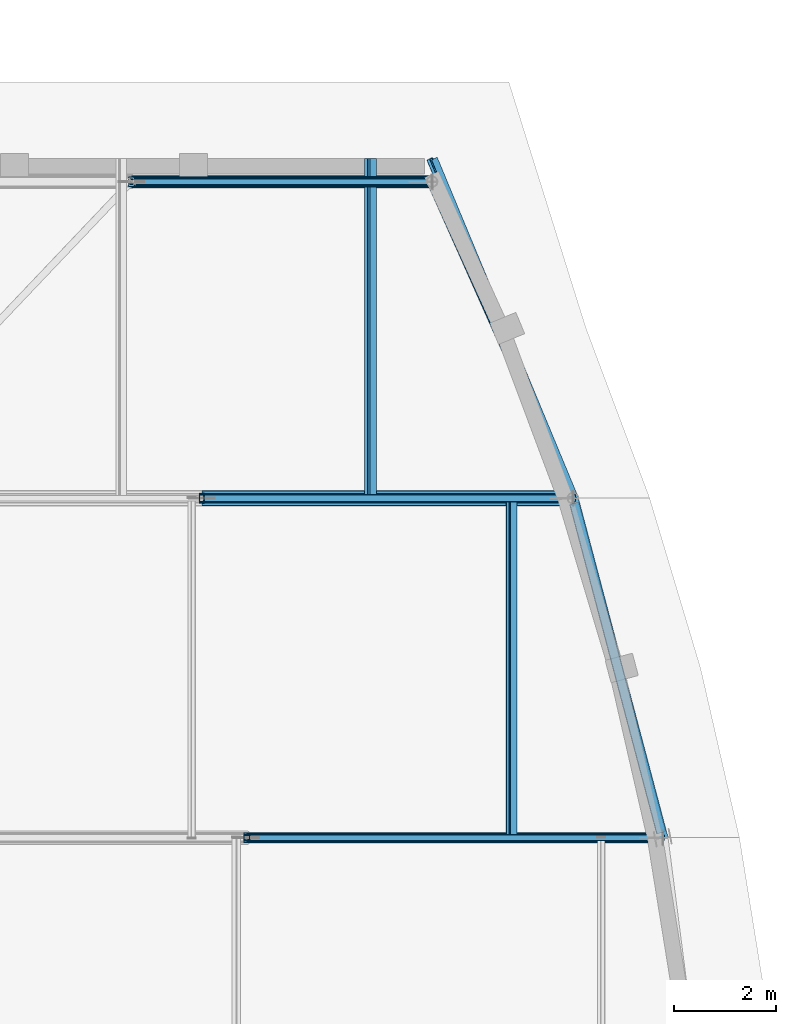
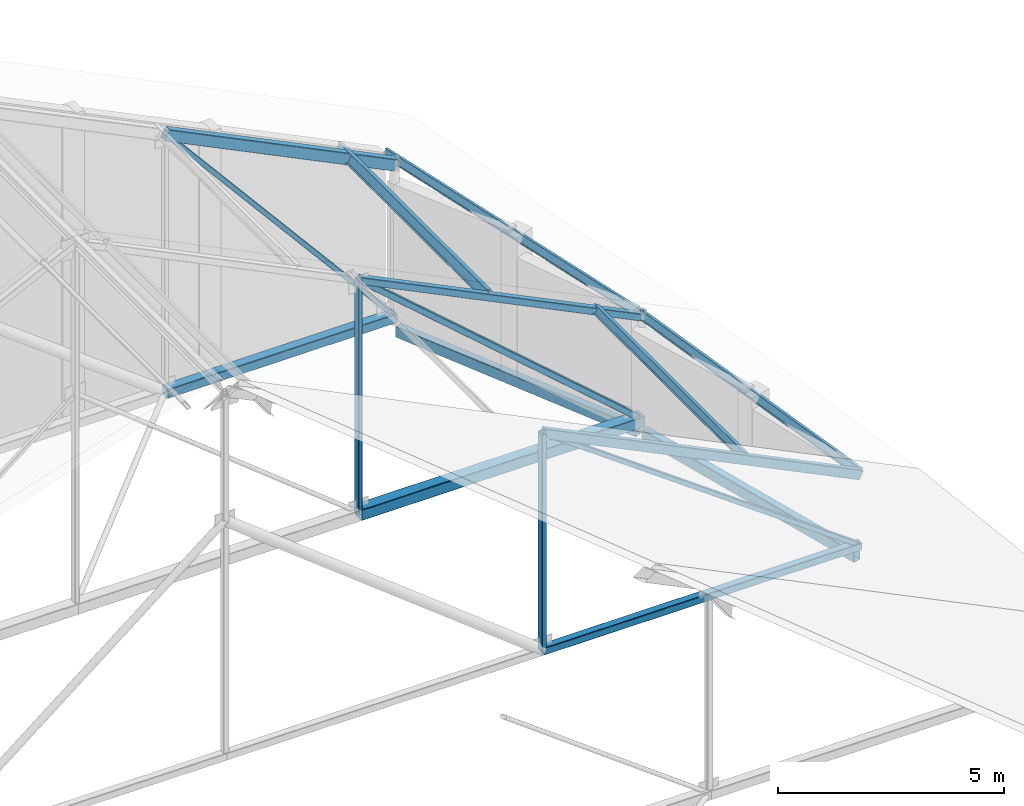
# One storey, part 35 of 78: 15 members, 2 beams.
"""IFC4 building model written with IfcOpenShell, lengths in metres."""

from ifc_helpers import new_model, si_unit, direction, frame, origin, origin_2d, place, context, subcontext, project, spatial, hollow_rectangle, i_section, extrude, material, material_profile, profile_set, type_object, element, save


model = new_model("IFC4")

# Units and contexts
model_context = context("Model", 3, precision=1e-05, world=origin(), true_north=direction((0.0, 1.0)))
body_context = subcontext(model_context, "Body", "Model", "MODEL_VIEW")
ifc_project = project(units=[si_unit("LENGTHUNIT", "METRE"), si_unit("AREAUNIT", "SQUARE_METRE"), si_unit("VOLUMEUNIT", "CUBIC_METRE"), si_unit("PLANEANGLEUNIT", "RADIAN"), si_unit("MASSUNIT", "GRAM", prefix="KILO")], contexts=[model_context])

# Site, building, storey
site_placement = place(None, origin())
site = spatial("IfcSite", under=ifc_project, at=site_placement, CompositionType="ELEMENT")
building_placement = place(site_placement, origin())
building = spatial("IfcBuilding", under=site, at=building_placement, Name="Kelanivale Promenade Academy", CompositionType="ELEMENT")
storey_placement = place(building_placement, frame((0.0, 0.0, 16.199951171875)))
storey = spatial("IfcBuildingStorey", under=building, at=storey_placement, Name="L04", CompositionType="ELEMENT", Elevation=16.199951171875)

# Members
ifc_material = material(Name="Steel S355", Category="steel")
ifc_material_profile_1 = material_profile(ifc_material, i_section(OverallWidth=0.13330078125, OverallDepth=0.203125, WebThickness=0.005615234375, FlangeThickness=0.0078125, FilletRadius=0.007568359375, at=origin_2d()), Name="UB 203x133x25")
ifc_profile_set_1 = profile_set([ifc_material_profile_1], Name="Steel S355")
member_type_1 = type_object("IfcMemberType", Name="PR-01 UB 203x133x25", PredefinedType="PURLIN", material=ifc_profile_set_1)
member_1_placement = place(storey_placement, frame((155.44091796875, 66.14306640625, 2.155029296875), z_axis=(-0.253583008164, 0.959346642368, 0.123893816419), x_axis=(-0.854833563652, -0.282194291363, 0.43546063011)))
element("IfcMember", 1, at=member_1_placement, inside=storey, type_object=member_type_1, Name="Assembly Hall Arc Pavilion roof tie purlin PR-01", PredefinedType="PURLIN", context=body_context, shape_type="SweptSolid", body=[
    extrude(i_section(OverallWidth=0.13330078125, OverallDepth=0.203125, WebThickness=0.005615234375, FlangeThickness=0.0078125, FilletRadius=0.007568359375, at=origin_2d()), origin(), (0.0, 0.0, 1.0), 6.90869140625),
])
member_2_placement = place(storey_placement, frame((152.489013671875, 66.14306640625, 3.614013671875), z_axis=(0.0, 1.0, 0.0), x_axis=(-0.898564392509, 0.0, 0.438841694139)))
element("IfcMember", 2, at=member_2_placement, inside=storey, type_object=member_type_1, Name="Assembly Hall Arc Pavilion roof purlin PR-01", PredefinedType="PURLIN", context=body_context, shape_type="SweptSolid", body=[
    extrude(i_section(OverallWidth=0.13330078125, OverallDepth=0.203125, WebThickness=0.005615234375, FlangeThickness=0.0078125, FilletRadius=0.007568359375, at=origin_2d()), origin(), (0.0, 0.0, 1.0), 6.6279296875),
])
member_3_placement = place(storey_placement, frame((153.68896484375, 72.77099609375, 3.010986328125), z_axis=(-0.376761392739, 0.907865223257, 0.183933654727), x_axis=(-0.798995969758, -0.418973464595, 0.431354467087)))
element("IfcMember", 3, at=member_3_placement, inside=storey, type_object=member_type_1, Name="Assembly Hall Arc Pavilion roof tie purlin PR-01", PredefinedType="PURLIN", context=body_context, shape_type="SweptSolid", body=[
    extrude(i_section(OverallWidth=0.13330078125, OverallDepth=0.203125, WebThickness=0.005615234375, FlangeThickness=0.0078125, FilletRadius=0.007568359375, at=origin_2d()), origin(), (0.0, 0.0, 1.0), 7.3017578125),
])
ifc_material_profile_2 = material_profile(ifc_material, i_section(OverallWidth=0.14599609375, OverallDepth=0.25146484375, WebThickness=0.006103515625, FlangeThickness=0.008544921875, FilletRadius=0.007568359375, at=origin_2d()), Name="UB 254x146x31")
ifc_profile_set_2 = profile_set([ifc_material_profile_2], Name="Steel S355")
member_type_2 = type_object("IfcMemberType", Name="PR-02 UB 254x146x31", PredefinedType="PURLIN", material=ifc_profile_set_2)
member_4_placement = place(storey_placement, frame((149.738037109375, 72.77099609375, 4.93115234375), z_axis=(0.0, 1.0, 0.0), x_axis=(-0.898564392509, 0.0, 0.438841694139)))
element("IfcMember", 4, at=member_4_placement, inside=storey, type_object=member_type_2, Name="Assembly Hall Arc Pavilion roof purlin PR-02", PredefinedType="PURLIN", context=body_context, shape_type="SweptSolid", body=[
    extrude(i_section(OverallWidth=0.14599609375, OverallDepth=0.25146484375, WebThickness=0.006103515625, FlangeThickness=0.008544921875, FilletRadius=0.007568359375, at=origin_2d()), origin(), (0.0, 0.0, 1.0), 6.62890625),
])

# Beams
ifc_material_profile_3 = material_profile(ifc_material, hollow_rectangle(XDim=0.199951171875, YDim=0.300048828125, WallThickness=0.012451171875, InnerFilletRadius=0.012451171875, OuterFilletRadius=0.02490234375, at=origin_2d()), Name="RHS 300x200x12.5")
ifc_profile_set_3 = profile_set([ifc_material_profile_3], Name="Steel S355")
beam_type = type_object("IfcBeamType", Name="SB-14 RHS 300x200x12.5", PredefinedType="SPANDREL", material=ifc_profile_set_3)
beam_1_placement = place(storey_placement, frame((155.4150390625, 66.239990234375, -0.14990234375), z_axis=(-0.255444826884, 0.966823634598, 0.0), x_axis=(-0.966823634598, -0.255444826884, 0.0)))
element("IfcBeam", 5, at=beam_1_placement, inside=storey, type_object=beam_type, Name="Assembly Hall Arc Pavilion curved ring beam SB-14", PredefinedType="SPANDREL", context=body_context, shape_type="SweptSolid", body=[
    extrude(hollow_rectangle(XDim=0.199951171875, YDim=0.300048828125, WallThickness=0.012451171875, InnerFilletRadius=0.012451171875, OuterFilletRadius=0.02490234375, at=origin_2d()), origin(), (0.0, 0.0, 1.0), 6.65478515625),
])
beam_2_placement = place(storey_placement, frame((153.64794921875, 72.862060546875, -0.14990234375), z_axis=(-0.40660775048, 0.913602833429, 0.0), x_axis=(-0.913602833429, -0.40660775048, 0.0)))
element("IfcBeam", 6, at=beam_2_placement, inside=storey, type_object=beam_type, Name="Assembly Hall Arc Pavilion curved ring beam SB-14", PredefinedType="SPANDREL", context=body_context, shape_type="SweptSolid", body=[
    extrude(hollow_rectangle(XDim=0.199951171875, YDim=0.300048828125, WallThickness=0.012451171875, InnerFilletRadius=0.012451171875, OuterFilletRadius=0.02490234375, at=origin_2d()), origin(), (0.0, 0.0, 1.0), 6.56396484375),
])

# Members
ifc_material_profile_4 = material_profile(ifc_material, hollow_rectangle(XDim=0.300048828125, YDim=0.300048828125, WallThickness=0.01611328125, InnerFilletRadius=0.01611328125, OuterFilletRadius=0.031982421875, at=origin_2d()), Name="SHS 300x300x16.0")
ifc_profile_set_4 = profile_set([ifc_material_profile_4], Name="Steel S355")
member_type_3 = type_object("IfcMemberType", Name="TC-01 SHS 300x300x16.0", PredefinedType="CHORD", material=ifc_profile_set_4)
member_5_placement = place(storey_placement, frame((146.445068359375, 72.77099609375, 0.199951171875), z_axis=(1.0, 0.0, 0.0), x_axis=(0.0, 1.0, 0.0)))
element("IfcMember", 7, at=member_5_placement, inside=storey, type_object=member_type_3, Name="ROOF TRUSS AH-TR7 bottom chord 4", PredefinedType="CHORD", context=body_context, shape_type="SweptSolid", body=[
    extrude(hollow_rectangle(XDim=0.300048828125, YDim=0.300048828125, WallThickness=0.01611328125, InnerFilletRadius=0.01611328125, OuterFilletRadius=0.031982421875, at=origin_2d()), origin(), (0.0, 0.0, 1.0), 7.243896484375),
])
ifc_material_profile_5 = material_profile(ifc_material, hollow_rectangle(XDim=0.25, YDim=0.25, WallThickness=0.012451171875, InnerFilletRadius=0.012451171875, OuterFilletRadius=0.02490234375, at=origin_2d()), Name="SHS 250x250x12.5")
ifc_profile_set_5 = profile_set([ifc_material_profile_5], Name="Steel S355")
member_type_4 = type_object("IfcMemberType", Name="TC-02 SHS 250x250x12.5", PredefinedType="CHORD", material=ifc_profile_set_5)
member_6_placement = place(storey_placement, frame((145.069091796875, 78.949951171875, 0.199951171875), z_axis=(1.0, 0.0, 0.0), x_axis=(0.0, 1.0, 0.0)))
element("IfcMember", 8, at=member_6_placement, inside=storey, type_object=member_type_4, Name="ROOF TRUSS AH-TR8 bottom chord 4", PredefinedType="CHORD", context=body_context, shape_type="SweptSolid", body=[
    extrude(hollow_rectangle(XDim=0.25, YDim=0.25, WallThickness=0.012451171875, InnerFilletRadius=0.012451171875, OuterFilletRadius=0.02490234375, at=origin_2d()), origin(), (0.0, 0.0, 1.0), 5.868896484375),
])
ifc_material_profile_6 = material_profile(ifc_material, hollow_rectangle(XDim=0.199951171875, YDim=0.199951171875, WallThickness=0.012451171875, InnerFilletRadius=0.012451171875, OuterFilletRadius=0.02490234375, at=origin_2d()), Name="SHS 200x200x12.5")
ifc_profile_set_6 = profile_set([ifc_material_profile_6], Name="Steel S355")
member_type_5 = type_object("IfcMemberType", Name="TC-03 SHS 200x200x12.5", PredefinedType="CHORD", material=ifc_profile_set_6)
member_7_placement = place(storey_placement, frame((147.320068359375, 66.14306640625, 0.199951171875), z_axis=(1.0, 0.0, 0.0), x_axis=(0.0, 1.0, 0.0)))
element("IfcMember", 9, at=member_7_placement, inside=storey, type_object=member_type_5, Name="ROOF TRUSS AH-TR6 bottom chord 4", PredefinedType="CHORD", context=body_context, shape_type="SweptSolid", body=[
    extrude(hollow_rectangle(XDim=0.199951171875, YDim=0.199951171875, WallThickness=0.012451171875, InnerFilletRadius=0.012451171875, OuterFilletRadius=0.02490234375, at=origin_2d()), origin(), (0.0, 0.0, 1.0), 8.120849609375),
])
ifc_material_profile_7 = material_profile(ifc_material, hollow_rectangle(XDim=0.179931640625, YDim=0.179931640625, WallThickness=0.010009765625, InnerFilletRadius=0.010009765625, OuterFilletRadius=0.02001953125, at=origin_2d()), Name="SHS 180x180x10.0")
ifc_profile_set_7 = profile_set([ifc_material_profile_7], Name="Steel S355")
member_type_6 = type_object("IfcMemberType", Name="TC-04 SHS 180x180x10.0", PredefinedType="CHORD", material=ifc_profile_set_7)
member_8_placement = place(storey_placement, frame((146.445068359375, 72.77099609375, 6.504150390625), z_axis=(0.898549463989, 0.0, -0.438872260191), x_axis=(0.0, 1.0, 0.0)))
element("IfcMember", 10, at=member_8_placement, inside=storey, type_object=member_type_6, Name="ROOF TRUSS AH-TR7 top chord 4", PredefinedType="CHORD", context=body_context, shape_type="SweptSolid", body=[
    extrude(hollow_rectangle(XDim=0.179931640625, YDim=0.179931640625, WallThickness=0.010009765625, InnerFilletRadius=0.010009765625, OuterFilletRadius=0.02001953125, at=origin_2d()), origin(), (0.0, 0.0, 1.0), 8.061767578125),
])
ifc_material_profile_8 = material_profile(ifc_material, hollow_rectangle(XDim=0.199951171875, YDim=0.300048828125, WallThickness=0.012451171875, InnerFilletRadius=0.012451171875, OuterFilletRadius=0.02490234375, at=origin_2d()), Name="RHS 300x200x12.5")
ifc_profile_set_8 = profile_set([ifc_material_profile_8], Name="Steel S355")
member_type_7 = type_object("IfcMemberType", Name="TC-05 RHS 300x200x12.5", PredefinedType="CHORD", material=ifc_profile_set_8)
member_9_placement = place(storey_placement, frame((145.069091796875, 78.949951171875, 7.176025390625), z_axis=(0.898522951892, 0.0, -0.438926537047), x_axis=(0.0, 1.0, 0.0)))
element("IfcMember", 11, at=member_9_placement, inside=storey, type_object=member_type_7, Name="ROOF TRUSS AH-TR8 top chord 4", PredefinedType="CHORD", context=body_context, shape_type="SweptSolid", body=[
    extrude(hollow_rectangle(XDim=0.199951171875, YDim=0.300048828125, WallThickness=0.012451171875, InnerFilletRadius=0.012451171875, OuterFilletRadius=0.02490234375, at=origin_2d()), origin(), (0.0, 0.0, 1.0), 6.53173828125),
])
ifc_material_profile_9 = material_profile(ifc_material, hollow_rectangle(XDim=0.14990234375, YDim=0.25, WallThickness=0.010009765625, InnerFilletRadius=0.010009765625, OuterFilletRadius=0.02001953125, at=origin_2d()), Name="RHS 250x150x10.0")
ifc_profile_set_9 = profile_set([ifc_material_profile_9], Name="Steel S355")
member_type_8 = type_object("IfcMemberType", Name="TC-06 RHS 250x150x10.0", PredefinedType="CHORD", material=ifc_profile_set_9)
member_10_placement = place(storey_placement, frame((147.320068359375, 66.14306640625, 6.075927734375), z_axis=(0.898575195447, 0.0, -0.438819573546), x_axis=(0.0, 1.0, 0.0)))
element("IfcMember", 12, at=member_10_placement, inside=storey, type_object=member_type_8, Name="ROOF TRUSS AH-TR6 top chord 4", PredefinedType="CHORD", context=body_context, shape_type="SweptSolid", body=[
    extrude(hollow_rectangle(XDim=0.14990234375, YDim=0.25, WallThickness=0.010009765625, InnerFilletRadius=0.010009765625, OuterFilletRadius=0.02001953125, at=origin_2d()), origin(), (0.0, 0.0, 1.0), 9.037353515625),
])
ifc_material_profile_10 = material_profile(ifc_material, hollow_rectangle(XDim=0.14990234375, YDim=0.14990234375, WallThickness=0.010009765625, InnerFilletRadius=0.010009765625, OuterFilletRadius=0.02001953125, at=origin_2d()), Name="SHS 150x150x10.0")
ifc_profile_set_10 = profile_set([ifc_material_profile_10], Name="Steel S355")
member_type_9 = type_object("IfcMemberType", Name="TD-01 SHS 150x150x10.0", PredefinedType="BRACE", material=ifc_profile_set_10)
member_11_placement = place(storey_placement, frame((153.68896484375, 72.77099609375, 0.199951171875), z_axis=(-0.754339457982, 0.0, 0.656484563514), x_axis=(0.0, -1.0, 0.0)))
element("IfcMember", 13, at=member_11_placement, inside=storey, type_object=member_type_9, Name="ROOF TRUSS AH-TR7 web diagonal 4", PredefinedType="BRACE", context=body_context, shape_type="SweptSolid", body=[
    extrude(hollow_rectangle(XDim=0.14990234375, YDim=0.14990234375, WallThickness=0.010009765625, InnerFilletRadius=0.010009765625, OuterFilletRadius=0.02001953125, at=origin_2d()), origin(), (0.0, 0.0, 1.0), 9.60302734375),
])
ifc_material_profile_11 = material_profile(ifc_material, hollow_rectangle(XDim=0.1201171875, YDim=0.1201171875, WallThickness=0.008056640625, InnerFilletRadius=0.008056640625, OuterFilletRadius=0.01611328125, at=origin_2d()), Name="SHS 120x120x8.0")
ifc_profile_set_11 = profile_set([ifc_material_profile_11], Name="Steel S355")
member_type_10 = type_object("IfcMemberType", Name="TD-02 SHS 120x120x8.0", PredefinedType="BRACE", material=ifc_profile_set_11)
member_12_placement = place(storey_placement, frame((155.44091796875, 66.14306640625, 0.199951171875), z_axis=(-0.810161897842, 0.0, 0.586206191783), x_axis=(0.0, -1.0, 0.0)))
element("IfcMember", 14, at=member_12_placement, inside=storey, type_object=member_type_10, Name="ROOF TRUSS AH-TR6 web diagonal 4", PredefinedType="BRACE", context=body_context, shape_type="SweptSolid", body=[
    extrude(hollow_rectangle(XDim=0.1201171875, YDim=0.1201171875, WallThickness=0.008056640625, InnerFilletRadius=0.008056640625, OuterFilletRadius=0.01611328125, at=origin_2d()), origin(), (0.0, 0.0, 1.0), 10.023681640625),
])
member_13_placement = place(storey_placement, frame((150.93798828125, 78.949951171875, 0.199951171875), z_axis=(-0.643770341143, 0.0, 0.765218758177), x_axis=(0.0, -1.0, 0.0)))
element("IfcMember", 15, at=member_13_placement, inside=storey, type_object=member_type_10, Name="ROOF TRUSS AH-TR8 web diagonal 4", PredefinedType="BRACE", context=body_context, shape_type="SweptSolid", body=[
    extrude(hollow_rectangle(XDim=0.1201171875, YDim=0.1201171875, WallThickness=0.008056640625, InnerFilletRadius=0.008056640625, OuterFilletRadius=0.01611328125, at=origin_2d()), origin(), (0.0, 0.0, 1.0), 9.116455078125),
])
ifc_material_profile_12 = material_profile(ifc_material, hollow_rectangle(XDim=0.1201171875, YDim=0.199951171875, WallThickness=0.010009765625, InnerFilletRadius=0.010009765625, OuterFilletRadius=0.02001953125, at=origin_2d()), Name="RHS 200x120x10.0")
ifc_profile_set_12 = profile_set([ifc_material_profile_12], Name="Steel S355")
member_type_11 = type_object("IfcMemberType", Name="TV-01 RHS 200x120x10.0", PredefinedType="STRUT", material=ifc_profile_set_12)
member_14_placement = place(storey_placement, frame((147.320068359375, 66.14306640625, 0.199951171875), z_axis=(0.0, 0.0, 1.0), x_axis=(1.0, 0.0, 0.0)))
element("IfcMember", 16, at=member_14_placement, inside=storey, type_object=member_type_11, Name="ROOF TRUSS AH-TR6 vertical strut 3", PredefinedType="STRUT", context=body_context, shape_type="SweptSolid", body=[
    extrude(hollow_rectangle(XDim=0.1201171875, YDim=0.199951171875, WallThickness=0.010009765625, InnerFilletRadius=0.010009765625, OuterFilletRadius=0.02001953125, at=origin_2d()), origin(), (0.0, 0.0, 1.0), 5.8759765625),
])
ifc_material_profile_13 = material_profile(ifc_material, hollow_rectangle(XDim=0.10009765625, YDim=0.199951171875, WallThickness=0.008056640625, InnerFilletRadius=0.008056640625, OuterFilletRadius=0.01611328125, at=origin_2d()), Name="RHS 200x100x8.0")
ifc_profile_set_13 = profile_set([ifc_material_profile_13], Name="Steel S355")
member_type_12 = type_object("IfcMemberType", Name="TV-02 RHS 200x100x8.0", PredefinedType="STRUT", material=ifc_profile_set_13)
member_15_placement = place(storey_placement, frame((146.445068359375, 72.77099609375, 0.199951171875), z_axis=(0.0, 0.0, 1.0), x_axis=(1.0, 0.0, 0.0)))
element("IfcMember", 17, at=member_15_placement, inside=storey, type_object=member_type_12, Name="ROOF TRUSS AH-TR7 vertical strut 3", PredefinedType="STRUT", context=body_context, shape_type="SweptSolid", body=[
    extrude(hollow_rectangle(XDim=0.10009765625, YDim=0.199951171875, WallThickness=0.008056640625, InnerFilletRadius=0.008056640625, OuterFilletRadius=0.01611328125, at=origin_2d()), origin(), (0.0, 0.0, 1.0), 6.30419921875),
])

save(model, "model.ifc")
